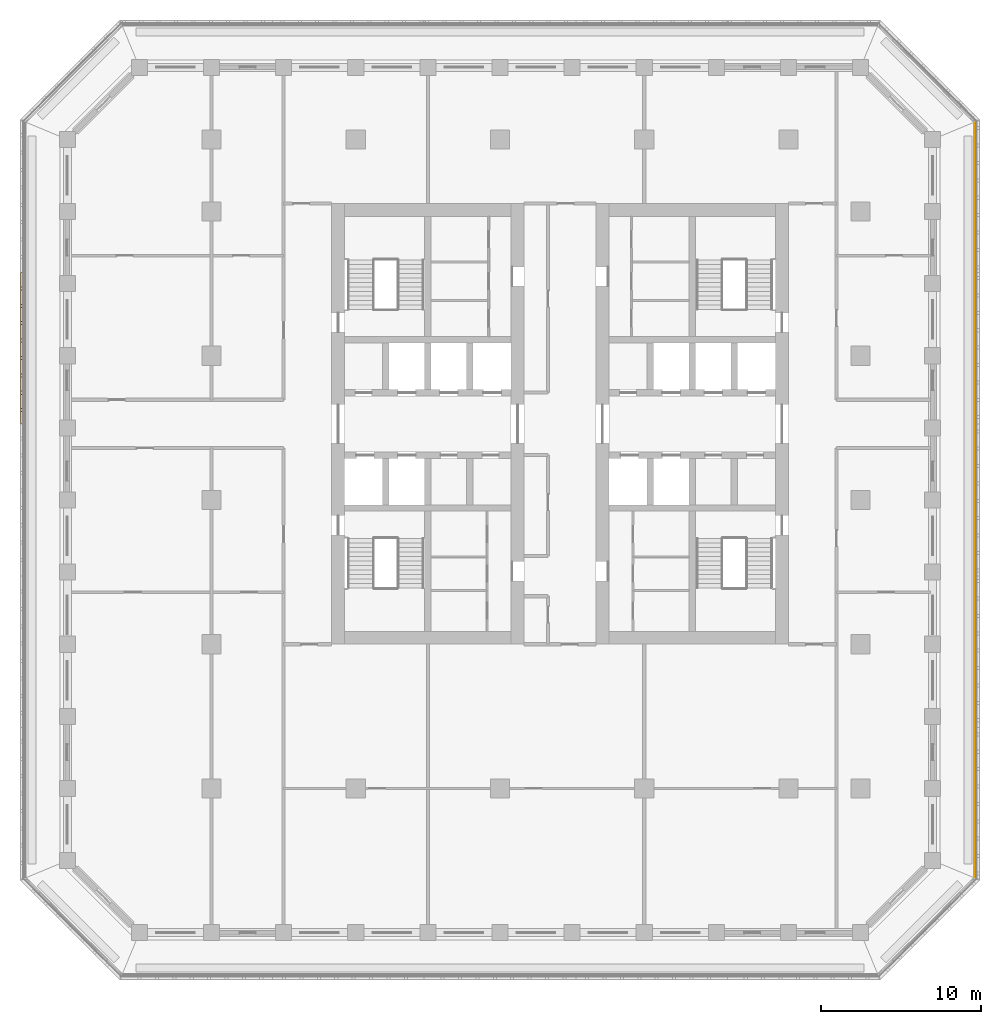
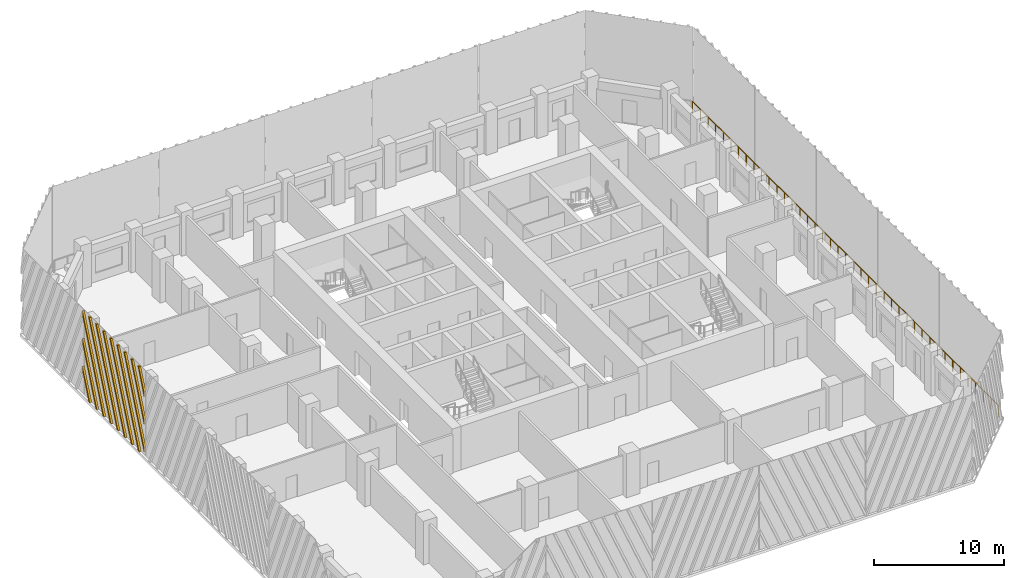
# One storey, part 12 of 16: 1 railing, 1 shading device.
"""IFC4 building model written with IfcOpenShell, lengths in metres."""

from ifc_helpers import new_model, si_unit, direction, frame, origin, origin_2d, place, context, subcontext, project, spatial, polyline, circle, outline, extrude, source, transform, mapped, material, type_object, element, save


model = new_model("IFC4")

# Units and contexts
model_context = context("Model", 3, precision=1e-05, world=origin(), true_north=direction((0.0, 1.0)))
body_context = subcontext(model_context, "Body", "Model", "MODEL_VIEW")
ifc_project = project(units=[si_unit("LENGTHUNIT", "METRE"), si_unit("AREAUNIT", "SQUARE_METRE"), si_unit("VOLUMEUNIT", "CUBIC_METRE"), si_unit("PLANEANGLEUNIT", "RADIAN"), si_unit("MASSUNIT", "GRAM", prefix="KILO")], contexts=[model_context])

# Site, building, storey
site_placement = place(None, origin())
site = spatial("IfcSite", under=ifc_project, at=site_placement, CompositionType="ELEMENT")
building_placement = place(site_placement, origin())
building = spatial("IfcBuilding", under=site, at=building_placement, Name="Corbel Stack Research Tower", CompositionType="ELEMENT")
storey_placement = place(building_placement, frame((0.0, 0.0, 173.199951171875)))
storey = spatial("IfcBuildingStorey", under=building, at=storey_placement, Name="L39", CompositionType="ELEMENT", Elevation=173.199951171875)

# Railing
ifc_material_1 = material(Name="Powder-coated steel guard", Category="steel")
railing_type = type_object("IfcRailingType", Name="Steel and glass guard 1100", PredefinedType="GUARDRAIL", material=ifc_material_1)
railing_placement = place(storey_placement, frame((29.60009765625, -23.50537109375, 0.0)))
element("IfcRailing", 1, at=railing_placement, inside=storey, type_object=railing_type, Name="Loggia guard L39 E", PredefinedType="GUARDRAIL", context=body_context, shape_type="SweptSolid", body=[
    extrude(circle(Radius=0.02392578125, at=origin_2d()), frame((0.0, 0.0, 1.076171875), z_axis=(0.0, 1.0, 0.0), x_axis=(-1.0, 0.0, 0.0)), (0.0, 0.0, 1.0), 47.0107421875),
    extrude(circle(Radius=0.02099609375, at=origin_2d()), origin(), (0.0, 0.0, 1.0), 1.052001953125),
    extrude(circle(Radius=0.02099609375, at=origin_2d()), frame((0.0, 1.17529296875, 0.0)), (0.0, 0.0, 1.0), 1.052001953125),
    extrude(circle(Radius=0.02099609375, at=origin_2d()), frame((0.0, 2.3505859375, 0.0)), (0.0, 0.0, 1.0), 1.052001953125),
    extrude(circle(Radius=0.02099609375, at=origin_2d()), frame((0.0, 3.52587890625, 0.0)), (0.0, 0.0, 1.0), 1.052001953125),
    extrude(circle(Radius=0.02099609375, at=origin_2d()), frame((0.0, 4.701171875, 0.0)), (0.0, 0.0, 1.0), 1.052001953125),
    extrude(circle(Radius=0.02099609375, at=origin_2d()), frame((0.0, 5.87646484375, 0.0)), (0.0, 0.0, 1.0), 1.052001953125),
    extrude(circle(Radius=0.02099609375, at=origin_2d()), frame((0.0, 7.051513671875, 0.0)), (0.0, 0.0, 1.0), 1.052001953125),
    extrude(circle(Radius=0.02099609375, at=origin_2d()), frame((0.0, 8.226806640625, 0.0)), (0.0, 0.0, 1.0), 1.052001953125),
    extrude(circle(Radius=0.02099609375, at=origin_2d()), frame((0.0, 9.402099609375, 0.0)), (0.0, 0.0, 1.0), 1.052001953125),
    extrude(circle(Radius=0.02099609375, at=origin_2d()), frame((0.0, 10.577392578125, 0.0)), (0.0, 0.0, 1.0), 1.052001953125),
    extrude(circle(Radius=0.02099609375, at=origin_2d()), frame((0.0, 11.752685546875, 0.0)), (0.0, 0.0, 1.0), 1.052001953125),
    extrude(circle(Radius=0.02099609375, at=origin_2d()), frame((0.0, 12.927978515625, 0.0)), (0.0, 0.0, 1.0), 1.052001953125),
    extrude(circle(Radius=0.02099609375, at=origin_2d()), frame((0.0, 14.103271484375, 0.0)), (0.0, 0.0, 1.0), 1.052001953125),
    extrude(circle(Radius=0.02099609375, at=origin_2d()), frame((0.0, 15.278564453125, 0.0)), (0.0, 0.0, 1.0), 1.052001953125),
    extrude(circle(Radius=0.02099609375, at=origin_2d()), frame((0.0, 16.453857421875, 0.0)), (0.0, 0.0, 1.0), 1.052001953125),
    extrude(circle(Radius=0.02099609375, at=origin_2d()), frame((0.0, 17.62890625, 0.0)), (0.0, 0.0, 1.0), 1.052001953125),
    extrude(circle(Radius=0.02099609375, at=origin_2d()), frame((0.0, 18.80419921875, 0.0)), (0.0, 0.0, 1.0), 1.052001953125),
    extrude(circle(Radius=0.02099609375, at=origin_2d()), frame((0.0, 19.9794921875, 0.0)), (0.0, 0.0, 1.0), 1.052001953125),
    extrude(circle(Radius=0.02099609375, at=origin_2d()), frame((0.0, 21.15478515625, 0.0)), (0.0, 0.0, 1.0), 1.052001953125),
    extrude(circle(Radius=0.02099609375, at=origin_2d()), frame((0.0, 22.330078125, 0.0)), (0.0, 0.0, 1.0), 1.052001953125),
    extrude(circle(Radius=0.02099609375, at=origin_2d()), frame((0.0, 23.50537109375, 0.0)), (0.0, 0.0, 1.0), 1.052001953125),
    extrude(circle(Radius=0.02099609375, at=origin_2d()), frame((0.0, 24.6806640625, 0.0)), (0.0, 0.0, 1.0), 1.052001953125),
    extrude(circle(Radius=0.02099609375, at=origin_2d()), frame((0.0, 25.85595703125, 0.0)), (0.0, 0.0, 1.0), 1.052001953125),
    extrude(circle(Radius=0.02099609375, at=origin_2d()), frame((0.0, 27.03125, 0.0)), (0.0, 0.0, 1.0), 1.052001953125),
    extrude(circle(Radius=0.02099609375, at=origin_2d()), frame((0.0, 28.20654296875, 0.0)), (0.0, 0.0, 1.0), 1.052001953125),
    extrude(circle(Radius=0.02099609375, at=origin_2d()), frame((0.0, 29.3818359375, 0.0)), (0.0, 0.0, 1.0), 1.052001953125),
    extrude(circle(Radius=0.02099609375, at=origin_2d()), frame((0.0, 30.556884765625, 0.0)), (0.0, 0.0, 1.0), 1.052001953125),
    extrude(circle(Radius=0.02099609375, at=origin_2d()), frame((0.0, 31.732177734375, 0.0)), (0.0, 0.0, 1.0), 1.052001953125),
    extrude(circle(Radius=0.02099609375, at=origin_2d()), frame((0.0, 32.907470703125, 0.0)), (0.0, 0.0, 1.0), 1.052001953125),
    extrude(circle(Radius=0.02099609375, at=origin_2d()), frame((0.0, 34.082763671875, 0.0)), (0.0, 0.0, 1.0), 1.052001953125),
    extrude(circle(Radius=0.02099609375, at=origin_2d()), frame((0.0, 35.258056640625, 0.0)), (0.0, 0.0, 1.0), 1.052001953125),
    extrude(circle(Radius=0.02099609375, at=origin_2d()), frame((0.0, 36.433349609375, 0.0)), (0.0, 0.0, 1.0), 1.052001953125),
    extrude(circle(Radius=0.02099609375, at=origin_2d()), frame((0.0, 37.608642578125, 0.0)), (0.0, 0.0, 1.0), 1.052001953125),
    extrude(circle(Radius=0.02099609375, at=origin_2d()), frame((0.0, 38.783935546875, 0.0)), (0.0, 0.0, 1.0), 1.052001953125),
    extrude(circle(Radius=0.02099609375, at=origin_2d()), frame((0.0, 39.959228515625, 0.0)), (0.0, 0.0, 1.0), 1.052001953125),
    extrude(circle(Radius=0.02099609375, at=origin_2d()), frame((0.0, 41.13427734375, 0.0)), (0.0, 0.0, 1.0), 1.052001953125),
    extrude(circle(Radius=0.02099609375, at=origin_2d()), frame((0.0, 42.3095703125, 0.0)), (0.0, 0.0, 1.0), 1.052001953125),
    extrude(circle(Radius=0.02099609375, at=origin_2d()), frame((0.0, 43.48486328125, 0.0)), (0.0, 0.0, 1.0), 1.052001953125),
    extrude(circle(Radius=0.02099609375, at=origin_2d()), frame((0.0, 44.66015625, 0.0)), (0.0, 0.0, 1.0), 1.052001953125),
    extrude(circle(Radius=0.02099609375, at=origin_2d()), frame((0.0, 45.83544921875, 0.0)), (0.0, 0.0, 1.0), 1.052001953125),
    extrude(circle(Radius=0.02099609375, at=origin_2d()), frame((0.0, 47.0107421875, 0.0)), (0.0, 0.0, 1.0), 1.052001953125),
])

# Shading device
ifc_material_2 = material(Name="Precast terracotta", Category="masonry")
shading_device_type = type_object("IfcShadingDeviceType", Name="Terracotta screen panel", PredefinedType="USERDEFINED", material=ifc_material_2)
shared_shape = source(origin(), body_context, "Body", "SweptSolid", [
    extrude(outline(polyline([(1.14453125, 0.0), (0.0, 2.740478515625), (0.0, 2.285400390625), (0.95458984375, 0.0), (1.14453125, 0.0)])), frame((0.0, 0.0, 0.0), z_axis=(0.0, -1.0, 0.0), x_axis=(1.0, 0.0, 0.0)), (0.0, 0.0, 1.0), 0.179931640625),
    extrude(outline(polyline([(2.22900390625, 0.0), (0.0, 5.337646484375), (0.0, 4.882568359375), (2.0390625, 0.0), (2.22900390625, 0.0)])), frame((0.0, 0.0, 0.0), z_axis=(0.0, -1.0, 0.0), x_axis=(1.0, 0.0, 0.0)), (0.0, 0.0, 1.0), 0.179931640625),
    extrude(outline(polyline([(3.313720703125, 0.0), (0.0, 7.934814453125), (0.0, 7.479736328125), (3.123779296875, 0.0), (3.313720703125, 0.0)])), frame((0.0, 0.0, 0.0), z_axis=(0.0, -1.0, 0.0), x_axis=(1.0, 0.0, 0.0)), (0.0, 0.0, 1.0), 0.179931640625),
    extrude(outline(polyline([(4.3984375, 0.0), (1.078369140625, 7.949951171875), (0.88818359375, 7.949951171875), (4.20849609375, 0.0), (4.3984375, 0.0)])), frame((0.0, 0.0, 0.0), z_axis=(0.0, -1.0, 0.0), x_axis=(1.0, 0.0, 0.0)), (0.0, 0.0, 1.0), 0.179931640625),
    extrude(outline(polyline([(5.483154296875, 0.0), (2.1630859375, 7.949951171875), (1.972900390625, 7.949951171875), (5.293212890625, 0.0), (5.483154296875, 0.0)])), frame((0.0, 0.0, 0.0), z_axis=(0.0, -1.0, 0.0), x_axis=(1.0, 0.0, 0.0)), (0.0, 0.0, 1.0), 0.179931640625),
    extrude(outline(polyline([(6.56787109375, 0.0), (3.24755859375, 7.949951171875), (3.0576171875, 7.949951171875), (6.377685546875, 0.0), (6.56787109375, 0.0)])), frame((0.0, 0.0, 0.0), z_axis=(0.0, -1.0, 0.0), x_axis=(1.0, 0.0, 0.0)), (0.0, 0.0, 1.0), 0.179931640625),
    extrude(outline(polyline([(7.652587890625, 0.0), (4.332275390625, 7.949951171875), (4.142333984375, 7.949951171875), (7.46240234375, 0.0), (7.652587890625, 0.0)])), frame((0.0, 0.0, 0.0), z_axis=(0.0, -1.0, 0.0), x_axis=(1.0, 0.0, 0.0)), (0.0, 0.0, 1.0), 0.179931640625),
    extrude(outline(polyline([(8.737060546875, 0.0), (5.4169921875, 7.949951171875), (5.22705078125, 7.949951171875), (8.547119140625, 0.0), (8.737060546875, 0.0)])), frame((0.0, 0.0, 0.0), z_axis=(0.0, -1.0, 0.0), x_axis=(1.0, 0.0, 0.0)), (0.0, 0.0, 1.0), 0.179931640625),
    extrude(outline(polyline([(6.501708984375, 7.949951171875), (6.3115234375, 7.949951171875), (9.45556640625, 0.421875), (9.45556640625, 0.876708984375), (6.501708984375, 7.949951171875)])), frame((0.0, 0.0, 0.0), z_axis=(0.0, -1.0, 0.0), x_axis=(1.0, 0.0, 0.0)), (0.0, 0.0, 1.0), 0.179931640625),
    extrude(outline(polyline([(7.586181640625, 7.949951171875), (7.396240234375, 7.949951171875), (9.45556640625, 3.01904296875), (9.45556640625, 3.473876953125), (7.586181640625, 7.949951171875)])), frame((0.0, 0.0, 0.0), z_axis=(0.0, -1.0, 0.0), x_axis=(1.0, 0.0, 0.0)), (0.0, 0.0, 1.0), 0.179931640625),
    extrude(outline(polyline([(8.6708984375, 7.949951171875), (8.48095703125, 7.949951171875), (9.45556640625, 5.6162109375), (9.45556640625, 6.071044921875), (8.6708984375, 7.949951171875)])), frame((0.0, 0.0, 0.0), z_axis=(0.0, -1.0, 0.0), x_axis=(1.0, 0.0, 0.0)), (0.0, 0.0, 1.0), 0.179931640625),
])
shading_device_placement = place(storey_placement, frame((-29.75, 14.18359375, 0.0), z_axis=(0.0, 0.0, 1.0), x_axis=(0.0, -1.0, 0.0)))
element("IfcShadingDevice", 2, at=shading_device_placement, inside=storey, type_object=shading_device_type, Name="Terracotta screen L39 W2", ObjectType="SCREEN", PredefinedType="USERDEFINED", context=body_context, shape_type="MappedRepresentation", body=[
    mapped(shared_shape, transform((0.0, 0.0, 0.0))),
])

save(model, "model.ifc")
